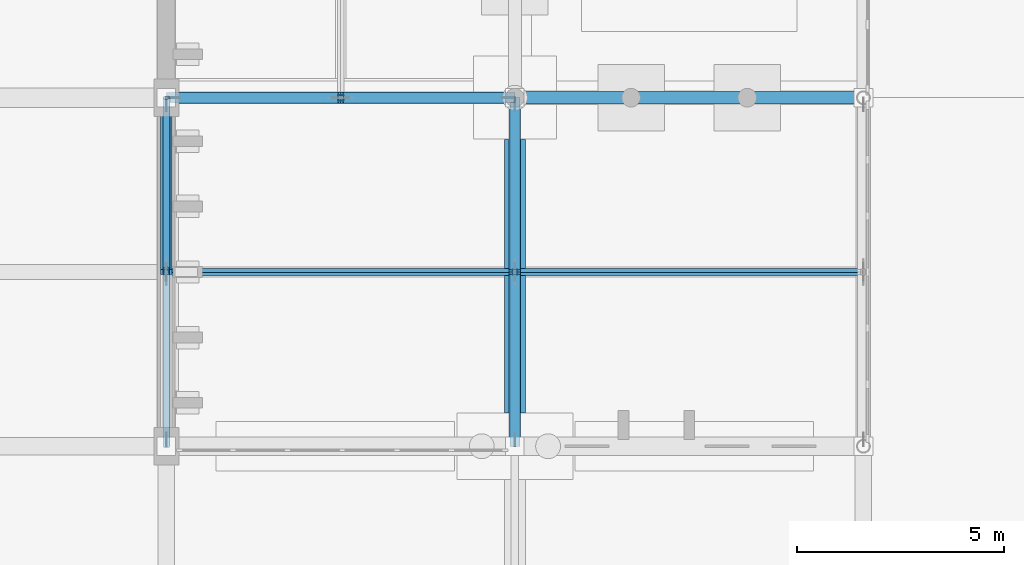
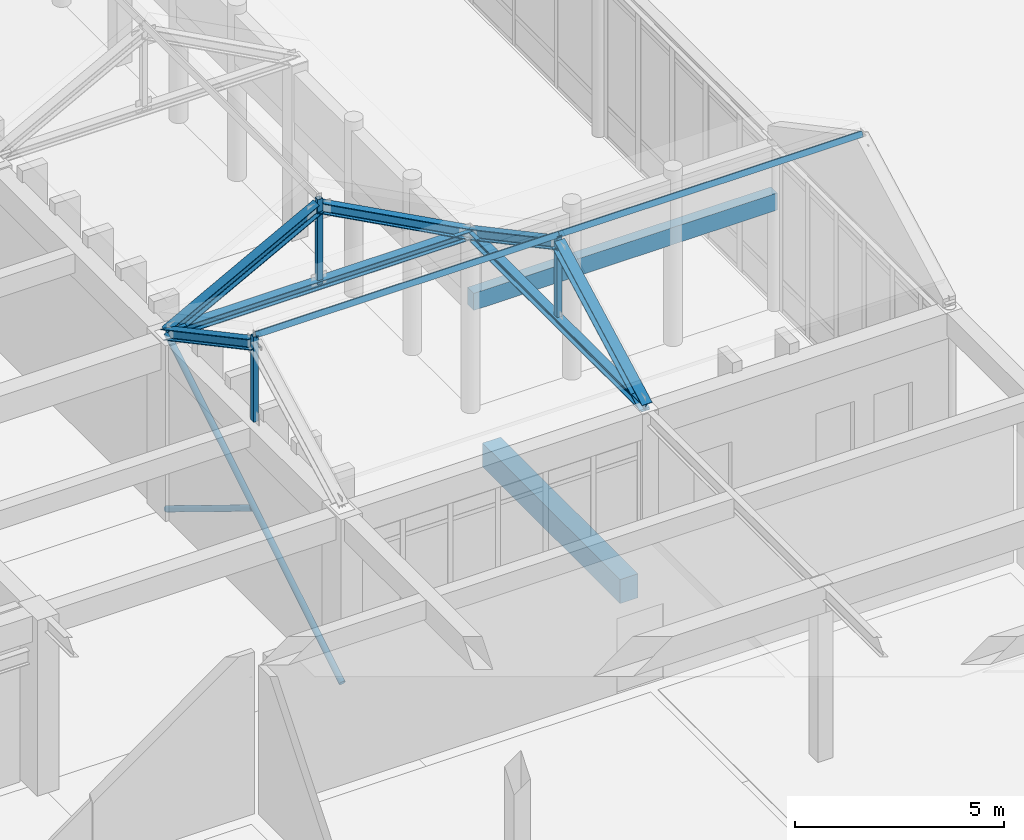
# One storey, part 28 of 143: 14 members, 2 beams.
"""IFC4 building model written with IfcOpenShell, lengths in metres."""

from ifc_helpers import new_model, si_unit, direction, frame, origin, origin_2d, place, context, subcontext, project, spatial, rectangle, hollow_rectangle, hollow_circle, i_section, extrude, material, material_profile, profile_set, type_object, element, save


model = new_model("IFC4")

# Units and contexts
model_context = context("Model", 3, precision=1e-05, world=origin(), true_north=direction((0.0, 1.0)))
body_context = subcontext(model_context, "Body", "Model", "MODEL_VIEW")
ifc_project = project(units=[si_unit("LENGTHUNIT", "METRE"), si_unit("AREAUNIT", "SQUARE_METRE"), si_unit("VOLUMEUNIT", "CUBIC_METRE"), si_unit("PLANEANGLEUNIT", "RADIAN"), si_unit("MASSUNIT", "GRAM", prefix="KILO")], contexts=[model_context])

# Site, building, storey
site_placement = place(None, origin())
site = spatial("IfcSite", under=ifc_project, at=site_placement, CompositionType="ELEMENT")
building_placement = place(site_placement, origin())
building = spatial("IfcBuilding", under=site, at=building_placement, Name="Kveldsbrygga Polytechnic", CompositionType="ELEMENT")
storey_placement = place(building_placement, origin())
storey = spatial("IfcBuildingStorey", under=building, at=storey_placement, Name="L00", CompositionType="ELEMENT", Elevation=0.0)

# Beam
ifc_material_1 = material(Name="Concrete C35/45", Category="concrete")
ifc_material_profile_1 = material_profile(ifc_material_1, rectangle(XDim=0.5, YDim=0.699951171875, at=origin_2d()), Name="RC 500x700")
ifc_profile_set_1 = profile_set([ifc_material_profile_1], Name="Concrete C35/45")
beam_type_1 = type_object("IfcBeamType", Name="BM-TIE-500x700", PredefinedType="BEAM", material=ifc_profile_set_1)
beam_1_placement = place(storey_placement, frame((42.0, 26.001953125, -0.669921875), z_axis=(0.0, 1.0, 0.0), x_axis=(-1.0, 0.0, 0.0)))
element("IfcBeam", 1, at=beam_1_placement, inside=storey, type_object=beam_type_1, Name="Ground Tie Beam GB-L00-Y-05-03", PredefinedType="BEAM", context=body_context, shape_type="SweptSolid", body=[
    extrude(rectangle(XDim=0.5, YDim=0.699951171875, at=origin_2d()), origin(), (0.0, 0.0, 1.0), 6.595947265625),
])

# Members
ifc_material_2 = material(Name="Steel S355", Category="steel")
ifc_material_profile_2 = material_profile(ifc_material_2, hollow_circle(Radius=0.084228515625, WallThickness=0.010009765625, at=origin_2d()), Name="CHS 168.3x10.0")
ifc_profile_set_2 = profile_set([ifc_material_profile_2], Name="Steel S355")
member_type_1 = type_object("IfcMemberType", Name="BR-WIND-CHS168", PredefinedType="BRACE", material=ifc_profile_set_2)
member_1_placement = place(storey_placement, frame((33.60009765625, 25.199951171875, 0.0), z_axis=(0.0, 0.852989386754, 0.521928257603), x_axis=(-1.0, 0.0, 0.0)))
element("IfcMember", 2, at=member_1_placement, inside=storey, type_object=member_type_1, Name="Workshop Portal Continuous Brace VBR-L00-E-3-A", PredefinedType="BRACE", context=body_context, shape_type="SweptSolid", body=[
    extrude(hollow_circle(Radius=0.084228515625, WallThickness=0.010009765625, at=origin_2d()), origin(), (0.0, 0.0, 1.0), 9.847900390625),
])
member_2_placement = place(storey_placement, frame((33.60009765625, 33.60009765625, 0.0), z_axis=(0.0, -0.852990810736, 0.521925930377), x_axis=(1.0, 0.0, 0.0)))
element("IfcMember", 3, at=member_2_placement, inside=storey, type_object=member_type_1, Name="Workshop Portal Split Brace VBR-L00-E-3-B1", PredefinedType="BRACE", context=body_context, shape_type="SweptSolid", body=[
    extrude(hollow_circle(Radius=0.084228515625, WallThickness=0.010009765625, at=origin_2d()), origin(), (0.0, 0.0, 1.0), 4.833984375),
])

# Beam
ifc_material_profile_3 = material_profile(ifc_material_1, rectangle(XDim=0.300048828125, YDim=0.5, at=origin_2d()), Name="RC 300x500")
ifc_profile_set_3 = profile_set([ifc_material_profile_3], Name="Concrete C35/45")
beam_type_2 = type_object("IfcBeamType", Name="LNT-RC-300x500", PredefinedType="LINTEL", material=ifc_profile_set_3)
beam_2_placement = place(storey_placement, frame((42.0, 33.60009765625, 3.199951171875), z_axis=(1.0, 0.0, 0.0), x_axis=(0.0, 1.0, 0.0)))
element("IfcBeam", 4, at=beam_2_placement, inside=storey, type_object=beam_type_2, Name="Cloister Arcade Arch Lintel Beam BM-ARC-HDR-01", PredefinedType="LINTEL", context=body_context, shape_type="SweptSolid", body=[
    extrude(rectangle(XDim=0.300048828125, YDim=0.5, at=origin_2d()), origin(), (0.0, 0.0, 1.0), 8.39990234375),
])

# Members
ifc_material_profile_4 = material_profile(ifc_material_2, hollow_rectangle(XDim=0.10009765625, YDim=0.14990234375, WallThickness=0.008056640625, at=origin_2d()), Name="RHS 150x100x8.0")
ifc_profile_set_4 = profile_set([ifc_material_profile_4], Name="Steel S355")
member_type_2 = type_object("IfcMemberType", Name="PRL-RHS150", PredefinedType="PURLIN", material=ifc_profile_set_4)
for number, where, z_axis, x_axis, name in (
    (5, (33.60009765625, 29.39990234375, 7.6337890625), (1.0, 0.0, 0.0), (0.0, 0.881479888517, -0.472221564671), "Roof Purlin ARC-WS-PRL-1-1"),
    (6, (42.0, 29.39990234375, 7.6337890625), (1.0, 0.0, 0.0), (0.0, 0.881479888517, -0.472221564671), "Roof Purlin ARC-WS-PRL-2-1"),
):
    element("IfcMember", number, at=place(storey_placement, frame(where, z_axis=z_axis, x_axis=x_axis)), inside=storey, type_object=member_type_2, Name=name, PredefinedType="PURLIN", context=body_context, shape_type="SweptSolid", body=[
        extrude(hollow_rectangle(XDim=0.10009765625, YDim=0.14990234375, WallThickness=0.008056640625, at=origin_2d()), origin(), (0.0, 0.0, 1.0), 8.39990234375),
    ])
ifc_material_profile_5 = material_profile(ifc_material_2, i_section(OverallWidth=0.239990234375, OverallDepth=0.239990234375, WebThickness=0.010009765625, FlangeThickness=0.01708984375, FilletRadius=0.02099609375, at=origin_2d()), Name="HEB 240")
ifc_profile_set_5 = profile_set([ifc_material_profile_5], Name="Steel S355")
member_type_3 = type_object("IfcMemberType", Name="TR-BOT-HEB240", PredefinedType="CHORD", material=ifc_profile_set_5)
member_3_placement = place(storey_placement, frame((42.0, 25.199951171875, 5.139892578125), z_axis=(0.0, 1.0, 0.0), x_axis=(-1.0, 0.0, 0.0)))
element("IfcMember", 7, at=member_3_placement, inside=storey, type_object=member_type_3, Name="Truss Bottom Chord ARC-WS-T02-BC-1", PredefinedType="CHORD", context=body_context, shape_type="SweptSolid", body=[
    extrude(i_section(OverallWidth=0.239990234375, OverallDepth=0.239990234375, WebThickness=0.010009765625, FlangeThickness=0.01708984375, FilletRadius=0.02099609375, at=origin_2d()), origin(), (0.0, 0.0, 1.0), 8.400146484375),
])
member_4_placement = place(storey_placement, frame((33.60009765625, 33.60009765625, 5.139892578125), z_axis=(1.0, 0.0, 0.0), x_axis=(0.0, 1.0, 0.0)))
element("IfcMember", 8, at=member_4_placement, inside=storey, type_object=member_type_3, Name="Truss Bottom Chord ARC-WW-T01-BC-1", PredefinedType="CHORD", context=body_context, shape_type="SweptSolid", body=[
    extrude(i_section(OverallWidth=0.239990234375, OverallDepth=0.239990234375, WebThickness=0.010009765625, FlangeThickness=0.01708984375, FilletRadius=0.02099609375, at=origin_2d()), origin(), (0.0, 0.0, 1.0), 8.39990234375),
])
ifc_material_profile_6 = material_profile(ifc_material_2, hollow_rectangle(XDim=0.139892578125, YDim=0.139892578125, WallThickness=0.008056640625, at=origin_2d()), Name="SHS 140x140x8.0")
ifc_profile_set_6 = profile_set([ifc_material_profile_6], Name="Steel S355")
member_type_4 = type_object("IfcMemberType", Name="TR-POST-SHS140", PredefinedType="STRUT", material=ifc_profile_set_6)
for number, where, z_axis, x_axis, name in (
    (9, (33.60009765625, 29.39990234375, 5.139892578125), (0.0, 0.0, 1.0), (1.0, 0.0, 0.0), "Truss Vertical ARC-WS-T01-VT-1"),
    (10, (42.0, 29.39990234375, 5.139892578125), (0.0, 0.0, 1.0), (1.0, 0.0, 0.0), "Truss Vertical ARC-WS-T02-VT-1"),
    (11, (37.800048828125, 33.60009765625, 5.139892578125), (0.0, 0.0, 1.0), (1.0, 0.0, 0.0), "Truss Vertical ARC-WW-T01-VT-1"),
):
    element("IfcMember", number, at=place(storey_placement, frame(where, z_axis=z_axis, x_axis=x_axis)), inside=storey, type_object=member_type_4, Name=name, PredefinedType="STRUT", context=body_context, shape_type="SweptSolid", body=[
        extrude(hollow_rectangle(XDim=0.139892578125, YDim=0.139892578125, WallThickness=0.008056640625, at=origin_2d()), origin(), (0.0, 0.0, 1.0), 2.493896484375),
    ])
ifc_material_profile_7 = material_profile(ifc_material_2, i_section(OverallWidth=0.280029296875, OverallDepth=0.280029296875, WebThickness=0.010498046875, FlangeThickness=0.01806640625, FilletRadius=0.02392578125, at=origin_2d()), Name="HEB 280")
ifc_profile_set_7 = profile_set([ifc_material_profile_7], Name="Steel S355")
member_type_5 = type_object("IfcMemberType", Name="TR-TOP-HEB280", PredefinedType="CHORD", material=ifc_profile_set_7)
member_5_placement = place(storey_placement, frame((33.60009765625, 29.39990234375, 7.389892578125), z_axis=(0.0, 0.881489110341, -0.472204350203), x_axis=(-1.0, 0.0, 0.0)))
element("IfcMember", 12, at=member_5_placement, inside=storey, type_object=member_type_5, Name="Truss Top Chord ARC-WS-T01-TC-2", PredefinedType="CHORD", context=body_context, shape_type="SweptSolid", body=[
    extrude(i_section(OverallWidth=0.280029296875, OverallDepth=0.280029296875, WebThickness=0.010498046875, FlangeThickness=0.01806640625, FilletRadius=0.02392578125, at=origin_2d()), origin(), (0.0, 0.0, 1.0), 4.764892578125),
])
member_6_placement = place(storey_placement, frame((42.0, 25.199951171875, 5.139892578125), z_axis=(0.0, 0.881477684796, 0.472225678258), x_axis=(-1.0, 0.0, 0.0)))
element("IfcMember", 13, at=member_6_placement, inside=storey, type_object=member_type_5, Name="Truss Top Chord ARC-WS-T02-TC-1", PredefinedType="CHORD", context=body_context, shape_type="SweptSolid", body=[
    extrude(i_section(OverallWidth=0.280029296875, OverallDepth=0.280029296875, WebThickness=0.010498046875, FlangeThickness=0.01806640625, FilletRadius=0.02392578125, at=origin_2d()), origin(), (0.0, 0.0, 1.0), 4.7646484375),
])
member_7_placement = place(storey_placement, frame((42.0, 29.39990234375, 7.389892578125), z_axis=(0.0, 0.881489110341, -0.472204350203), x_axis=(-1.0, 0.0, 0.0)))
element("IfcMember", 14, at=member_7_placement, inside=storey, type_object=member_type_5, Name="Truss Top Chord ARC-WS-T02-TC-2", PredefinedType="CHORD", context=body_context, shape_type="SweptSolid", body=[
    extrude(i_section(OverallWidth=0.280029296875, OverallDepth=0.280029296875, WebThickness=0.010498046875, FlangeThickness=0.01806640625, FilletRadius=0.02392578125, at=origin_2d()), origin(), (0.0, 0.0, 1.0), 4.764892578125),
])
for number, where, z_axis, x_axis, name in (
    (15, (33.60009765625, 33.60009765625, 5.139892578125), (0.881477684796, 0.0, 0.472225678258), (0.0, 1.0, 0.0), "Truss Top Chord ARC-WW-T01-TC-1"),
    (16, (37.800048828125, 33.60009765625, 7.389892578125), (0.881477684796, 0.0, -0.472225678258), (0.0, 1.0, 0.0), "Truss Top Chord ARC-WW-T01-TC-2"),
):
    element("IfcMember", number, at=place(storey_placement, frame(where, z_axis=z_axis, x_axis=x_axis)), inside=storey, type_object=member_type_5, Name=name, PredefinedType="CHORD", context=body_context, shape_type="SweptSolid", body=[
        extrude(i_section(OverallWidth=0.280029296875, OverallDepth=0.280029296875, WebThickness=0.010498046875, FlangeThickness=0.01806640625, FilletRadius=0.02392578125, at=origin_2d()), origin(), (0.0, 0.0, 1.0), 4.7646484375),
    ])

save(model, "model.ifc")
